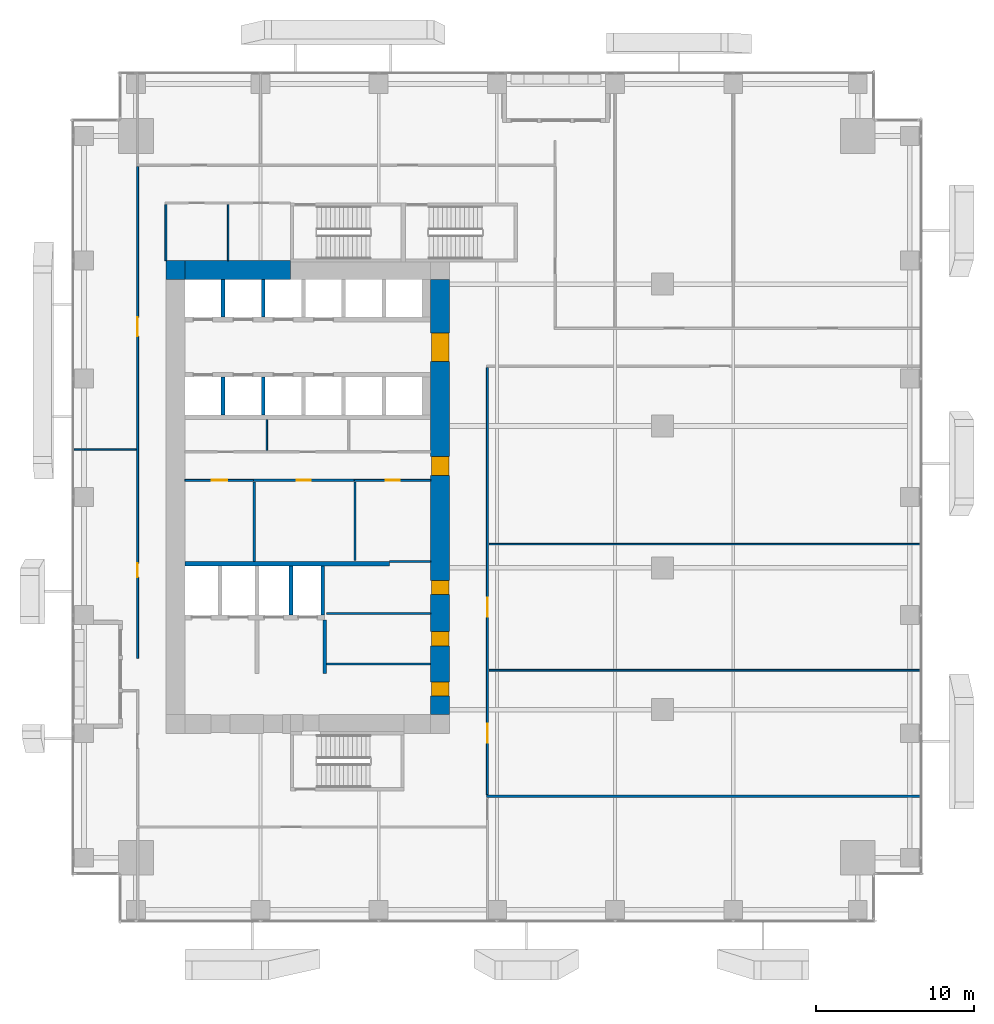
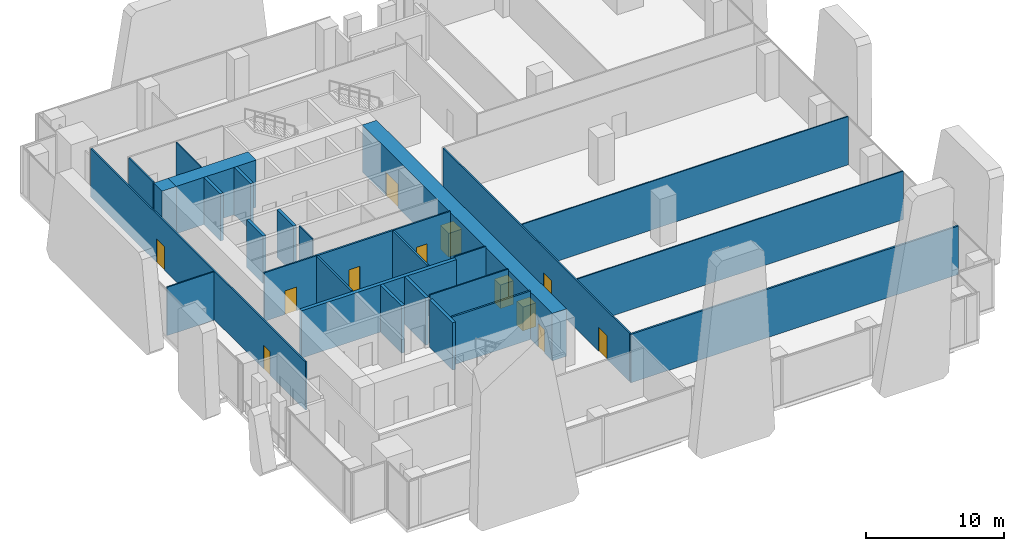
# One storey, part 28 of 34: 28 walls, 12 doors, 12 openings.
"""IFC4 building model written with IfcOpenShell, lengths in metres."""

from ifc_helpers import new_model, si_unit, direction, frame, frame_2d, origin, place, context, subcontext, project, spatial, rectangle, extrude, source, transform, mapped, material, layer, layer_set, type_object, element, fill, save


model = new_model("IFC4")

# Units and contexts
model_context = context("Model", 3, precision=1e-05, world=origin(), true_north=direction((0.0, 1.0)))
body_context = subcontext(model_context, "Body", "Model", "MODEL_VIEW")
ifc_project = project(units=[si_unit("LENGTHUNIT", "METRE"), si_unit("AREAUNIT", "SQUARE_METRE"), si_unit("VOLUMEUNIT", "CUBIC_METRE"), si_unit("PLANEANGLEUNIT", "RADIAN"), si_unit("MASSUNIT", "GRAM", prefix="KILO")], contexts=[model_context])

# Site, building, storey
site_placement = place(None, origin())
site = spatial("IfcSite", under=ifc_project, at=site_placement, CompositionType="ELEMENT")
building_placement = place(site_placement, origin())
building = spatial("IfcBuilding", under=site, at=building_placement, Name="Khomas Fold Tower", CompositionType="ELEMENT")
storey_placement = place(building_placement, frame((0.0, 0.0, 51.0)))
storey = spatial("IfcBuildingStorey", under=building, at=storey_placement, Name="L10", CompositionType="ELEMENT", Elevation=51.0)

# Walls
ifc_material_1 = material(Name="Concrete C70/85", Category="concrete")
ifc_layer_1 = layer(ifc_material_1, 1.199951171875)
ifc_layer_set_1 = layer_set([ifc_layer_1], Name="Concrete C70/85")
wall_type_1 = type_object("IfcWallType", Name="Core wall 1200", PredefinedType="SHEAR", material=ifc_layer_set_1)
shared_shape_1 = source(origin(), body_context, "Body", "SweptSolid", [
    extrude(rectangle(XDim=6.699951171875, YDim=1.199951171875, at=frame_2d((3.35009765625, 0.0))), origin(), (0.0, 0.0, 1.0), 4.199951171875),
])
wall_1_placement = place(storey_placement, frame((7.199951171875, 41.39990234375, 0.0), z_axis=(0.0, 0.0, 1.0), x_axis=(1.0, 0.0, 0.0)))
element("IfcWall", 1, at=wall_1_placement, inside=storey, type_object=wall_type_1, Name="Core wall CW-L-N-B2", PredefinedType="SHEAR", context=body_context, shape_type="MappedRepresentation", body=[
    mapped(shared_shape_1, transform((0.0, 0.0, 0.0))),
])
ifc_material_2 = material(Name="Concrete C70/85", Category="concrete")
ifc_layer_2 = layer(ifc_material_2, 1.199951171875)
ifc_layer_set_2 = layer_set([ifc_layer_2], Name="Concrete C70/85")
wall_type_2 = type_object("IfcWallType", Name="Core corner wall 1200", PredefinedType="SHEAR", material=ifc_layer_set_2)
shared_shape_2 = source(origin(), body_context, "Body", "SweptSolid", [
    extrude(rectangle(XDim=1.199951171875, YDim=1.199951171875, at=frame_2d((0.60009765625, 0.0))), origin(), (0.0, 0.0, 1.0), 4.199951171875),
])
wall_2_placement = place(storey_placement, frame((6.0, 41.39990234375, 0.0), z_axis=(0.0, 0.0, 1.0), x_axis=(1.0, 0.0, 0.0)))
element("IfcWall", 2, at=wall_2_placement, inside=storey, type_object=wall_type_2, Name="Core wall CW-L-NW-B2", PredefinedType="SHEAR", context=body_context, shape_type="MappedRepresentation", body=[
    mapped(shared_shape_2, transform((0.0, 0.0, 0.0))),
])

# Wall, openings, doors
shared_shape_3 = source(origin(), body_context, "Body", "SweptSolid", [
    extrude(rectangle(XDim=27.60009765625, YDim=1.199951171875, at=frame_2d((13.800048828125, 0.0))), origin(), (0.0, 0.0, 1.0), 4.199951171875),
])
wall_3_placement = place(storey_placement, frame((23.39990234375, 13.199951171875, 0.0), z_axis=(0.0, 0.0, 1.0), x_axis=(0.0, 1.0, 0.0)))
wall_3 = element("IfcWall", 3, at=wall_3_placement, inside=storey, type_object=wall_type_1, Name="Core wall CW-L-E-B2", PredefinedType="SHEAR", context=body_context, shape_type="MappedRepresentation", body=[
    mapped(shared_shape_3, transform((0.0, 0.0, 0.0))),
])
shared_shape_4 = source(origin(), body_context, "Body", "SweptSolid", [
    extrude(rectangle(XDim=1.800048828125, YDim=2.10009765625, at=frame_2d((0.89990234375, 1.050048828125))), frame((0.0, 0.60986328125, 0.0), z_axis=(0.0, -1.0, 0.0), x_axis=(1.0, 0.0, 0.0)), (0.0, 0.0, 1.0), 1.219970703125),
])
opening_1_placement = place(wall_3_placement, frame((22.39990234375, 0.0, 0.0)))
opening_1 = element("IfcOpeningElement", 4, at=opening_1_placement, cuts=wall_3, Name="Opening 0015", PredefinedType="OPENING", context=body_context, shape_type="MappedRepresentation", body=[
    mapped(shared_shape_4, transform((0.0, 0.0, 0.0))),
])
shared_shape_5 = source(origin(), body_context, "Body", "SweptSolid", [
    extrude(rectangle(XDim=1.199951171875, YDim=2.10009765625, at=frame_2d((0.60009765625, 1.050048828125))), frame((0.0, 0.60986328125, 0.0), z_axis=(0.0, -1.0, 0.0), x_axis=(1.0, 0.0, 0.0)), (0.0, 0.0, 1.0), 1.219970703125),
])
opening_2_placement = place(wall_3_placement, frame((15.14990234375, 0.0, 0.0)))
opening_2 = element("IfcOpeningElement", 5, at=opening_2_placement, cuts=wall_3, Name="Opening 0001", PredefinedType="OPENING", context=body_context, shape_type="MappedRepresentation", body=[
    mapped(shared_shape_5, transform((0.0, 0.0, 0.0))),
])
shared_shape_6 = source(origin(), body_context, "Body", "SweptSolid", [
    extrude(rectangle(XDim=0.89990234375, YDim=2.10009765625, at=frame_2d((0.449951171875, 1.050048828125))), frame((0.0, 0.60986328125, 0.0), z_axis=(0.0, -1.0, 0.0), x_axis=(1.0, 0.0, 0.0)), (0.0, 0.0, 1.0), 1.219970703125),
])
opening_3_placement = place(wall_3_placement, frame((1.14990234375, 0.0, 0.0)))
opening_3 = element("IfcOpeningElement", 6, at=opening_3_placement, cuts=wall_3, Name="Opening 0003", PredefinedType="OPENING", context=body_context, shape_type="MappedRepresentation", body=[
    mapped(shared_shape_6, transform((0.0, 0.0, 0.0))),
])
opening_4_placement = place(wall_3_placement, frame((4.35009765625, 0.0, 0.0)))
opening_4 = element("IfcOpeningElement", 7, at=opening_4_placement, cuts=wall_3, Name="Opening 0008", PredefinedType="OPENING", context=body_context, shape_type="MappedRepresentation", body=[
    mapped(shared_shape_6, transform((0.0, 0.0, 0.0))),
])
opening_5_placement = place(wall_3_placement, frame((7.60009765625, 0.0, 0.0)))
opening_5 = element("IfcOpeningElement", 8, at=opening_5_placement, cuts=wall_3, Name="Opening 0008", PredefinedType="OPENING", context=body_context, shape_type="MappedRepresentation", body=[
    mapped(shared_shape_6, transform((0.0, 0.0, 0.0))),
])
ifc_material_3 = material(Name="Timber door leaf", Category="wood")
door_type_1 = type_object("IfcDoorType", Name="Door 1200x2100 right-hand", OperationType="SINGLE_SWING_RIGHT", PredefinedType="DOOR", material=ifc_material_3)
shared_shape_7 = source(origin(), body_context, "Body", "SweptSolid", [
    extrude(rectangle(XDim=1.199951171875, YDim=2.10009765625, at=frame_2d((0.60009765625, 1.050048828125))), frame((0.0, 0.5498046875, 0.0), z_axis=(0.0, -1.0, 0.0), x_axis=(1.0, 0.0, 0.0)), (0.0, 0.0, 1.0), 1.099853515625),
])
door_1_placement = place(opening_2_placement, origin())
door_1 = element("IfcDoor", 9, at=door_1_placement, inside=storey, type_object=door_type_1, Name="Door", OperationType="SINGLE_SWING_RIGHT", OverallHeight=2.10009765625, OverallWidth=1.199951171875, PredefinedType="DOOR", context=body_context, shape_type="MappedRepresentation", body=[
    mapped(shared_shape_7, transform((0.0, 0.0, 0.0))),
])
fill(opening_2, door_1)
ifc_material_4 = material(Name="Steel door leaf", Category="steel")
door_type_2 = type_object("IfcDoorType", Name="Plant room door 900x2100 right-hand", OperationType="SINGLE_SWING_RIGHT", PredefinedType="DOOR", material=ifc_material_4)
shared_shape_8 = source(origin(), body_context, "Body", "SweptSolid", [
    extrude(rectangle(XDim=0.89990234375, YDim=2.10009765625, at=frame_2d((0.449951171875, 1.050048828125))), frame((0.0, 0.5498046875, 0.0), z_axis=(0.0, -1.0, 0.0), x_axis=(1.0, 0.0, 0.0)), (0.0, 0.0, 1.0), 1.099853515625),
])
door_2_placement = place(opening_3_placement, origin())
door_2 = element("IfcDoor", 10, at=door_2_placement, inside=storey, type_object=door_type_2, Name="Plant room door", OperationType="SINGLE_SWING_RIGHT", OverallHeight=2.10009765625, OverallWidth=0.89990234375, PredefinedType="DOOR", context=body_context, shape_type="MappedRepresentation", body=[
    mapped(shared_shape_8, transform((0.0, 0.0, 0.0))),
])
fill(opening_3, door_2)
ifc_material_5 = material(Name="Timber door leaf", Category="wood")
door_type_3 = type_object("IfcDoorType", Name="Door 900x2100 right-hand", OperationType="SINGLE_SWING_RIGHT", PredefinedType="DOOR", material=ifc_material_5)
door_3_placement = place(opening_4_placement, origin())
door_3 = element("IfcDoor", 11, at=door_3_placement, inside=storey, type_object=door_type_3, Name="Door", OperationType="SINGLE_SWING_RIGHT", OverallHeight=2.10009765625, OverallWidth=0.89990234375, PredefinedType="DOOR", context=body_context, shape_type="MappedRepresentation", body=[
    mapped(shared_shape_8, transform((0.0, 0.0, 0.0))),
])
fill(opening_4, door_3)
door_4_placement = place(opening_5_placement, origin())
door_4 = element("IfcDoor", 12, at=door_4_placement, inside=storey, type_object=door_type_3, Name="Door", OperationType="SINGLE_SWING_RIGHT", OverallHeight=2.10009765625, OverallWidth=0.89990234375, PredefinedType="DOOR", context=body_context, shape_type="MappedRepresentation", body=[
    mapped(shared_shape_8, transform((0.0, 0.0, 0.0))),
])
fill(opening_5, door_4)
ifc_material_6 = material(Name="Steel door leaf", Category="steel")
door_type_4 = type_object("IfcDoorType", Name="Lobby door 1800x2100", OperationType="DOUBLE_DOOR_SINGLE_SWING", PredefinedType="DOOR", material=ifc_material_6)
shared_shape_9 = source(origin(), body_context, "Body", "SweptSolid", [
    extrude(rectangle(XDim=1.800048828125, YDim=2.10009765625, at=frame_2d((0.89990234375, 1.050048828125))), frame((0.0, 0.5498046875, 0.0), z_axis=(0.0, -1.0, 0.0), x_axis=(1.0, 0.0, 0.0)), (0.0, 0.0, 1.0), 1.099853515625),
])
door_5_placement = place(opening_1_placement, origin())
door_5 = element("IfcDoor", 13, at=door_5_placement, inside=storey, type_object=door_type_4, Name="Lobby door", OperationType="DOUBLE_DOOR_SINGLE_SWING", OverallHeight=2.10009765625, OverallWidth=1.800048828125, PredefinedType="DOOR", context=body_context, shape_type="MappedRepresentation", body=[
    mapped(shared_shape_9, transform((0.0, 0.0, 0.0))),
])
fill(opening_1, door_5)

# Walls
ifc_material_7 = material(Name="Concrete C50/60", Category="concrete")
ifc_layer_3 = layer(ifc_material_7, 0.300048828125)
ifc_layer_set_3 = layer_set([ifc_layer_3], Name="Concrete C50/60")
wall_type_3 = type_object("IfcWallType", Name="Shaft wall 300", PredefinedType="STANDARD", material=ifc_layer_set_3)
shared_shape_10 = source(origin(), body_context, "Body", "SweptSolid", [
    extrude(rectangle(XDim=13.0, YDim=0.300048828125, at=frame_2d((6.5, 0.0))), origin(), (0.0, 0.0, 1.0), 4.199951171875),
])
wall_4_placement = place(storey_placement, frame((7.199951171875, 22.75, 0.0), z_axis=(0.0, 0.0, 1.0), x_axis=(1.0, 0.0, 0.0)))
element("IfcWall", 14, at=wall_4_placement, inside=storey, type_object=wall_type_3, Name="Core wall SW-FS-B", PredefinedType="STANDARD", context=body_context, shape_type="MappedRepresentation", body=[
    mapped(shared_shape_10, transform((0.0, 0.0, 0.0))),
])
ifc_material_8 = material(Name="Concrete C50/60", Category="concrete")
ifc_layer_4 = layer(ifc_material_8, 0.25)
ifc_layer_set_4 = layer_set([ifc_layer_4], Name="Concrete C50/60")
wall_type_4 = type_object("IfcWallType", Name="Shaft wall 250", PredefinedType="STANDARD", material=ifc_layer_set_4)
shared_shape_11 = source(origin(), body_context, "Body", "SweptSolid", [
    extrude(rectangle(XDim=3.10009765625, YDim=0.25, at=frame_2d((1.550048828125, 0.0))), origin(), (0.0, 0.0, 1.0), 4.199951171875),
])
for number, where, z_axis, x_axis, name in (
    (15, (13.925048828125, 19.5, 0.0), (0.0, 0.0, 1.0), (0.0, 1.0, 0.0), "Core wall SW-FS-P3"),
    (16, (15.949951171875, 19.5, 0.0), (0.0, 0.0, 1.0), (0.0, 1.0, 0.0), "Core wall SW-FS-PE"),
):
    element("IfcWall", number, at=place(storey_placement, frame(where, z_axis=z_axis, x_axis=x_axis)), inside=storey, type_object=wall_type_4, Name=name, PredefinedType="STANDARD", context=body_context, shape_type="MappedRepresentation", body=[
        mapped(shared_shape_11, transform((0.0, 0.0, 0.0))),
    ])
shared_shape_12 = source(origin(), body_context, "Body", "SweptSolid", [
    extrude(rectangle(XDim=2.400146484375, YDim=0.25, at=frame_2d((1.2001953125, 0.0))), origin(), (0.0, 0.0, 1.0), 4.199951171875),
])
for number, where, z_axis, x_axis, name in (
    (17, (9.625, 38.39990234375, 0.0), (0.0, 0.0, 1.0), (0.0, 1.0, 0.0), "Core wall SW-LRN-P1"),
    (18, (12.175048828125, 38.39990234375, 0.0), (0.0, 0.0, 1.0), (0.0, 1.0, 0.0), "Core wall SW-LRN-P2"),
    (19, (9.625, 32.199951171875, 0.0), (0.0, 0.0, 1.0), (0.0, 1.0, 0.0), "Core wall SW-LRS-P1"),
    (20, (12.175048828125, 32.199951171875, 0.0), (0.0, 0.0, 1.0), (0.0, 1.0, 0.0), "Core wall SW-LRS-P2"),
):
    element("IfcWall", number, at=place(storey_placement, frame(where, z_axis=z_axis, x_axis=x_axis)), inside=storey, type_object=wall_type_4, Name=name, PredefinedType="STANDARD", context=body_context, shape_type="MappedRepresentation", body=[
        mapped(shared_shape_12, transform((0.0, 0.0, 0.0))),
    ])
ifc_material_9 = material(Name="Concrete C50/60", Category="concrete")
ifc_layer_5 = layer(ifc_material_9, 0.25)
ifc_layer_set_5 = layer_set([ifc_layer_5], Name="Concrete C50/60")
wall_type_5 = type_object("IfcWallType", Name="Lobby wall 250", PredefinedType="STANDARD", material=ifc_layer_set_5)
shared_shape_13 = source(origin(), body_context, "Body", "SweptSolid", [
    extrude(rectangle(XDim=3.39990234375, YDim=0.25, at=frame_2d((1.699951171875, 0.0))), origin(), (0.0, 0.0, 1.0), 4.199951171875),
])
wall_5_placement = place(storey_placement, frame((16.074951171875, 15.800048828125, 0.0), z_axis=(0.0, 0.0, 1.0), x_axis=(0.0, 1.0, 0.0)))
element("IfcWall", 21, at=wall_5_placement, inside=storey, type_object=wall_type_5, Name="Core wall SW-FS-LOB-E", PredefinedType="STANDARD", context=body_context, shape_type="MappedRepresentation", body=[
    mapped(shared_shape_13, transform((0.0, 0.0, 0.0))),
])
ifc_material_10 = material(Name="Plasterboard fire partition")
ifc_layer_6 = layer(ifc_material_10, 0.14990234375)
ifc_layer_set_6 = layer_set([ifc_layer_6], Name="Plasterboard fire partition")
wall_type_6 = type_object("IfcWallType", Name="Plant room wall PW3 150", PredefinedType="PARTITIONING", material=ifc_layer_set_6)
shared_shape_14 = source(origin(), body_context, "Body", "SweptSolid", [
    extrude(rectangle(XDim=27.5, YDim=0.14990234375, at=frame_2d((13.75, 0.0))), origin(), (0.0, 0.0, 1.0), 4.300048828125),
])
wall_6_placement = place(storey_placement, frame((26.35009765625, 8.0, 0.0), z_axis=(0.0, 0.0, 1.0), x_axis=(1.0, 0.0, 0.0)))
element("IfcWall", 22, at=wall_6_placement, inside=storey, type_object=wall_type_6, Name="Plant room wall", PredefinedType="PARTITIONING", context=body_context, shape_type="MappedRepresentation", body=[
    mapped(shared_shape_14, transform((0.0, 0.0, 0.0))),
])

# Wall, openings, doors
ifc_material_11 = material(Name="Plasterboard partition")
ifc_layer_7 = layer(ifc_material_11, 0.125)
ifc_layer_set_7 = layer_set([ifc_layer_7], Name="Plasterboard partition")
wall_type_7 = type_object("IfcWallType", Name="Partition PW2 125", PredefinedType="PARTITIONING", material=ifc_layer_set_7)
shared_shape_15 = source(origin(), body_context, "Body", "SweptSolid", [
    extrude(rectangle(XDim=27.099853515625, YDim=0.125, at=frame_2d((13.5498046875, 0.0))), origin(), (0.0, 0.0, 1.0), 4.300048828125),
])
wall_7_placement = place(storey_placement, frame((26.39990234375, 8.10009765625, 0.0), z_axis=(0.0, 0.0, 1.0), x_axis=(0.0, 1.0, 0.0)))
wall_7 = element("IfcWall", 23, at=wall_7_placement, inside=storey, type_object=wall_type_7, Name="Partition", PredefinedType="PARTITIONING", context=body_context, shape_type="MappedRepresentation", body=[
    mapped(shared_shape_15, transform((0.0, 0.0, 0.0))),
])
shared_shape_16 = source(origin(), body_context, "Body", "SweptSolid", [
    extrude(rectangle(XDim=1.199951171875, YDim=2.10009765625, at=frame_2d((0.60009765625, 1.050048828125))), frame((0.0, 0.072509765625, 0.0), z_axis=(0.0, -1.0, 0.0), x_axis=(1.0, 0.0, 0.0)), (0.0, 0.0, 1.0), 0.14501953125),
])
opening_6_placement = place(wall_7_placement, frame((3.300048828125, 0.0, 0.0)))
opening_6 = element("IfcOpeningElement", 24, at=opening_6_placement, cuts=wall_7, Name="Opening 0013", PredefinedType="OPENING", context=body_context, shape_type="MappedRepresentation", body=[
    mapped(shared_shape_16, transform((0.0, 0.0, 0.0))),
])
opening_7_placement = place(wall_7_placement, frame((11.300048828125, 0.0, 0.0)))
opening_7 = element("IfcOpeningElement", 25, at=opening_7_placement, cuts=wall_7, Name="Opening 0001", PredefinedType="OPENING", context=body_context, shape_type="MappedRepresentation", body=[
    mapped(shared_shape_16, transform((0.0, 0.0, 0.0))),
])
ifc_material_12 = material(Name="Timber door leaf", Category="wood")
door_type_5 = type_object("IfcDoorType", Name="Door 1200x2100 left-hand", OperationType="SINGLE_SWING_LEFT", PredefinedType="DOOR", material=ifc_material_12)
shared_shape_17 = source(origin(), body_context, "Body", "SweptSolid", [
    extrude(rectangle(XDim=1.199951171875, YDim=2.10009765625, at=frame_2d((0.60009765625, 1.050048828125))), frame((0.0, 0.02490234375, 0.0), z_axis=(0.0, -1.0, 0.0), x_axis=(1.0, 0.0, 0.0)), (0.0, 0.0, 1.0), 0.050048828125),
])
door_6_placement = place(opening_6_placement, origin())
door_6 = element("IfcDoor", 26, at=door_6_placement, inside=storey, type_object=door_type_5, Name="Door", OperationType="SINGLE_SWING_LEFT", OverallHeight=2.10009765625, OverallWidth=1.199951171875, PredefinedType="DOOR", context=body_context, shape_type="MappedRepresentation", body=[
    mapped(shared_shape_17, transform((0.0, 0.0, 0.0))),
])
fill(opening_6, door_6)
door_7_placement = place(opening_7_placement, origin())
door_7 = element("IfcDoor", 27, at=door_7_placement, inside=storey, type_object=door_type_1, Name="Door", OperationType="SINGLE_SWING_RIGHT", OverallHeight=2.10009765625, OverallWidth=1.199951171875, PredefinedType="DOOR", context=body_context, shape_type="MappedRepresentation", body=[
    mapped(shared_shape_17, transform((0.0, 0.0, 0.0))),
])
fill(opening_7, door_7)

# Walls
ifc_material_13 = material(Name="Plasterboard partition")
ifc_layer_8 = layer(ifc_material_13, 0.10009765625)
ifc_layer_set_8 = layer_set([ifc_layer_8], Name="Plasterboard partition")
wall_type_8 = type_object("IfcWallType", Name="Partition PW1 100", PredefinedType="PARTITIONING", material=ifc_layer_set_8)
shared_shape_18 = source(origin(), body_context, "Body", "SweptSolid", [
    extrude(rectangle(XDim=3.9501953125, YDim=0.10009765625, at=frame_2d((1.97509765625, 0.0))), origin(), (0.0, 0.0, 1.0), 4.300048828125),
])
wall_8_placement = place(storey_placement, frame((0.14990234375, 30.0, 0.0), z_axis=(0.0, 0.0, 1.0), x_axis=(1.0, 0.0, 0.0)))
element("IfcWall", 28, at=wall_8_placement, inside=storey, type_object=wall_type_8, Name="Partition", PredefinedType="PARTITIONING", context=body_context, shape_type="MappedRepresentation", body=[
    mapped(shared_shape_18, transform((0.0, 0.0, 0.0))),
])
shared_shape_19 = source(origin(), body_context, "Body", "SweptSolid", [
    extrude(rectangle(XDim=27.35009765625, YDim=0.10009765625, at=frame_2d((13.675048828125, 0.0))), origin(), (0.0, 0.0, 1.0), 4.300048828125),
])
for number, where, z_axis, x_axis, name in (
    (29, (26.5, 16.0, 0.0), (0.0, 0.0, 1.0), (1.0, 0.0, 0.0), "Partition"),
    (30, (26.5, 24.0, 0.0), (0.0, 0.0, 1.0), (1.0, 0.0, 0.0), "Partition"),
):
    element("IfcWall", number, at=place(storey_placement, frame(where, z_axis=z_axis, x_axis=x_axis)), inside=storey, type_object=wall_type_8, Name=name, PredefinedType="PARTITIONING", context=body_context, shape_type="MappedRepresentation", body=[
        mapped(shared_shape_19, transform((0.0, 0.0, 0.0))),
    ])
shared_shape_20 = source(origin(), body_context, "Body", "SweptSolid", [
    extrude(rectangle(XDim=6.60009765625, YDim=0.14990234375, at=frame_2d((3.300048828125, 0.0))), origin(), (0.0, 0.0, 1.0), 4.300048828125),
])
wall_9_placement = place(storey_placement, frame((16.199951171875, 16.39990234375, 0.0), z_axis=(0.0, 0.0, 1.0), x_axis=(1.0, 0.0, 0.0)))
element("IfcWall", 31, at=wall_9_placement, inside=storey, type_object=wall_type_6, Name="Plant room wall", PredefinedType="PARTITIONING", context=body_context, shape_type="MappedRepresentation", body=[
    mapped(shared_shape_20, transform((0.0, 0.0, 0.0))),
])
shared_shape_21 = source(origin(), body_context, "Body", "SweptSolid", [
    extrude(rectangle(XDim=3.550048828125, YDim=0.10009765625, at=frame_2d((1.77490234375, 0.0))), origin(), (0.0, 0.0, 1.0), 4.300048828125),
])
wall_10_placement = place(storey_placement, frame((9.949951171875, 42.0, 0.0), z_axis=(0.0, 0.0, 1.0), x_axis=(0.0, 1.0, 0.0)))
element("IfcWall", 32, at=wall_10_placement, inside=storey, type_object=wall_type_8, Name="Partition", PredefinedType="PARTITIONING", context=body_context, shape_type="MappedRepresentation", body=[
    mapped(shared_shape_21, transform((0.0, 0.0, 0.0))),
])
shared_shape_22 = source(origin(), body_context, "Body", "SweptSolid", [
    extrude(rectangle(XDim=3.550048828125, YDim=0.125, at=frame_2d((1.77490234375, 0.0))), origin(), (0.0, 0.0, 1.0), 4.300048828125),
])
wall_11_placement = place(storey_placement, frame((6.0, 42.0, 0.0), z_axis=(0.0, 0.0, 1.0), x_axis=(0.0, 1.0, 0.0)))
element("IfcWall", 33, at=wall_11_placement, inside=storey, type_object=wall_type_7, Name="Partition", PredefinedType="PARTITIONING", context=body_context, shape_type="MappedRepresentation", body=[
    mapped(shared_shape_22, transform((0.0, 0.0, 0.0))),
])
shared_shape_23 = source(origin(), body_context, "Body", "SweptSolid", [
    extrude(rectangle(XDim=6.60009765625, YDim=0.10009765625, at=frame_2d((3.300048828125, 0.0))), origin(), (0.0, 0.0, 1.0), 4.300048828125),
])
wall_12_placement = place(storey_placement, frame((16.199951171875, 19.60009765625, 0.0), z_axis=(0.0, 0.0, 1.0), x_axis=(1.0, 0.0, 0.0)))
element("IfcWall", 34, at=wall_12_placement, inside=storey, type_object=wall_type_8, Name="Partition", PredefinedType="PARTITIONING", context=body_context, shape_type="MappedRepresentation", body=[
    mapped(shared_shape_23, transform((0.0, 0.0, 0.0))),
])
shared_shape_24 = source(origin(), body_context, "Body", "SweptSolid", [
    extrude(rectangle(XDim=5.050048828125, YDim=0.14990234375, at=frame_2d((2.52490234375, 0.0))), origin(), (0.0, 0.0, 1.0), 4.300048828125),
])
wall_13_placement = place(storey_placement, frame((11.60009765625, 22.89990234375, 0.0), z_axis=(0.0, 0.0, 1.0), x_axis=(0.0, 1.0, 0.0)))
element("IfcWall", 35, at=wall_13_placement, inside=storey, type_object=wall_type_6, Name="Plant room wall", PredefinedType="PARTITIONING", context=body_context, shape_type="MappedRepresentation", body=[
    mapped(shared_shape_24, transform((0.0, 0.0, 0.0))),
])
shared_shape_25 = source(origin(), body_context, "Body", "SweptSolid", [
    extrude(rectangle(XDim=2.60009765625, YDim=0.10009765625, at=frame_2d((1.300048828125, 0.0))), origin(), (0.0, 0.0, 1.0), 4.300048828125),
])
wall_14_placement = place(storey_placement, frame((20.199951171875, 22.89990234375, 0.0), z_axis=(0.0, 0.0, 1.0), x_axis=(1.0, 0.0, 0.0)))
element("IfcWall", 36, at=wall_14_placement, inside=storey, type_object=wall_type_8, Name="Partition", PredefinedType="PARTITIONING", context=body_context, shape_type="MappedRepresentation", body=[
    mapped(shared_shape_25, transform((0.0, 0.0, 0.0))),
])
shared_shape_26 = source(origin(), body_context, "Body", "SweptSolid", [
    extrude(rectangle(XDim=5.0, YDim=0.14990234375, at=frame_2d((2.5, 0.0))), origin(), (0.0, 0.0, 1.0), 4.300048828125),
])
wall_15_placement = place(storey_placement, frame((18.0, 22.949951171875, 0.0), z_axis=(0.0, 0.0, 1.0), x_axis=(0.0, 1.0, 0.0)))
element("IfcWall", 37, at=wall_15_placement, inside=storey, type_object=wall_type_6, Name="Plant room wall", PredefinedType="PARTITIONING", context=body_context, shape_type="MappedRepresentation", body=[
    mapped(shared_shape_26, transform((0.0, 0.0, 0.0))),
])

# Wall, opening, door
shared_shape_27 = source(origin(), body_context, "Body", "SweptSolid", [
    extrude(rectangle(XDim=4.35009765625, YDim=0.125, at=frame_2d((2.175048828125, 0.0))), origin(), (0.0, 0.0, 1.0), 4.300048828125),
])
wall_16_placement = place(storey_placement, frame((7.199951171875, 28.050048828125, 0.0), z_axis=(0.0, 0.0, 1.0), x_axis=(1.0, 0.0, 0.0)))
wall_16 = element("IfcWall", 38, at=wall_16_placement, inside=storey, type_object=wall_type_7, Name="Partition", PredefinedType="PARTITIONING", context=body_context, shape_type="MappedRepresentation", body=[
    mapped(shared_shape_27, transform((0.0, 0.0, 0.0))),
])
shared_shape_28 = source(origin(), body_context, "Body", "SweptSolid", [
    extrude(rectangle(XDim=1.0, YDim=2.10009765625, at=frame_2d((0.5, 1.050048828125))), frame((0.0, 0.072509765625, 0.0), z_axis=(0.0, -1.0, 0.0), x_axis=(1.0, 0.0, 0.0)), (0.0, 0.0, 1.0), 0.14501953125),
])
opening_8_placement = place(wall_16_placement, frame((1.699951171875, 0.0, 0.0)))
opening_8 = element("IfcOpeningElement", 39, at=opening_8_placement, cuts=wall_16, Name="Opening 0014", PredefinedType="OPENING", context=body_context, shape_type="MappedRepresentation", body=[
    mapped(shared_shape_28, transform((0.0, 0.0, 0.0))),
])
ifc_material_14 = material(Name="Timber door leaf", Category="wood")
door_type_6 = type_object("IfcDoorType", Name="WC door 1000x2100 left-hand", OperationType="SINGLE_SWING_LEFT", PredefinedType="DOOR", material=ifc_material_14)
shared_shape_29 = source(origin(), body_context, "Body", "SweptSolid", [
    extrude(rectangle(XDim=1.0, YDim=2.10009765625, at=frame_2d((0.5, 1.050048828125))), frame((0.0, 0.02490234375, 0.0), z_axis=(0.0, -1.0, 0.0), x_axis=(1.0, 0.0, 0.0)), (0.0, 0.0, 1.0), 0.050048828125),
])
door_8_placement = place(opening_8_placement, origin())
door_8 = element("IfcDoor", 40, at=door_8_placement, inside=storey, type_object=door_type_6, Name="WC door", OperationType="SINGLE_SWING_LEFT", OverallHeight=2.10009765625, OverallWidth=1.0, PredefinedType="DOOR", context=body_context, shape_type="MappedRepresentation", body=[
    mapped(shared_shape_29, transform((0.0, 0.0, 0.0))),
])
fill(opening_8, door_8)

shared_shape_30 = source(origin(), body_context, "Body", "SweptSolid", [
    extrude(rectangle(XDim=6.39990234375, YDim=0.14990234375, at=frame_2d((3.199951171875, 0.0))), origin(), (0.0, 0.0, 1.0), 4.300048828125),
])
wall_17_placement = place(storey_placement, frame((11.550048828125, 28.050048828125, 0.0), z_axis=(0.0, 0.0, 1.0), x_axis=(1.0, 0.0, 0.0)))
wall_17 = element("IfcWall", 41, at=wall_17_placement, inside=storey, type_object=wall_type_6, Name="Plant room wall", PredefinedType="PARTITIONING", context=body_context, shape_type="MappedRepresentation", body=[
    mapped(shared_shape_30, transform((0.0, 0.0, 0.0))),
])
shared_shape_31 = source(origin(), body_context, "Body", "SweptSolid", [
    extrude(rectangle(XDim=0.89990234375, YDim=2.10009765625, at=frame_2d((0.449951171875, 1.050048828125))), frame((0.0, 0.0849609375, 0.0), z_axis=(0.0, -1.0, 0.0), x_axis=(1.0, 0.0, 0.0)), (0.0, 0.0, 1.0), 0.169921875),
])
opening_9_placement = place(wall_17_placement, frame((2.75, 0.0, 0.0)))
opening_9 = element("IfcOpeningElement", 42, at=opening_9_placement, cuts=wall_17, Name="Opening 0003", PredefinedType="OPENING", context=body_context, shape_type="MappedRepresentation", body=[
    mapped(shared_shape_31, transform((0.0, 0.0, 0.0))),
])
shared_shape_32 = source(origin(), body_context, "Body", "SweptSolid", [
    extrude(rectangle(XDim=0.89990234375, YDim=2.10009765625, at=frame_2d((0.449951171875, 1.050048828125))), frame((0.0, 0.02490234375, 0.0), z_axis=(0.0, -1.0, 0.0), x_axis=(1.0, 0.0, 0.0)), (0.0, 0.0, 1.0), 0.050048828125),
])
door_9_placement = place(opening_9_placement, origin())
door_9 = element("IfcDoor", 43, at=door_9_placement, inside=storey, type_object=door_type_2, Name="Plant room door", OperationType="SINGLE_SWING_RIGHT", OverallHeight=2.10009765625, OverallWidth=0.89990234375, PredefinedType="DOOR", context=body_context, shape_type="MappedRepresentation", body=[
    mapped(shared_shape_32, transform((0.0, 0.0, 0.0))),
])
fill(opening_9, door_9)

shared_shape_33 = source(origin(), body_context, "Body", "SweptSolid", [
    extrude(rectangle(XDim=4.85009765625, YDim=0.125, at=frame_2d((2.425048828125, 0.0))), origin(), (0.0, 0.0, 1.0), 4.300048828125),
])
wall_18_placement = place(storey_placement, frame((17.949951171875, 28.050048828125, 0.0), z_axis=(0.0, 0.0, 1.0), x_axis=(1.0, 0.0, 0.0)))
wall_18 = element("IfcWall", 44, at=wall_18_placement, inside=storey, type_object=wall_type_7, Name="Partition", PredefinedType="PARTITIONING", context=body_context, shape_type="MappedRepresentation", body=[
    mapped(shared_shape_33, transform((0.0, 0.0, 0.0))),
])
shared_shape_34 = source(origin(), body_context, "Body", "SweptSolid", [
    extrude(rectangle(XDim=0.89990234375, YDim=2.10009765625, at=frame_2d((0.449951171875, 1.050048828125))), frame((0.0, 0.072509765625, 0.0), z_axis=(0.0, -1.0, 0.0), x_axis=(1.0, 0.0, 0.0)), (0.0, 0.0, 1.0), 0.14501953125),
])
opening_10_placement = place(wall_18_placement, frame((2.0, 0.0, 0.0)))
opening_10 = element("IfcOpeningElement", 45, at=opening_10_placement, cuts=wall_18, Name="Opening 0007", PredefinedType="OPENING", context=body_context, shape_type="MappedRepresentation", body=[
    mapped(shared_shape_34, transform((0.0, 0.0, 0.0))),
])
ifc_material_15 = material(Name="Timber door leaf", Category="wood")
door_type_7 = type_object("IfcDoorType", Name="Door 900x2100 left-hand", OperationType="SINGLE_SWING_LEFT", PredefinedType="DOOR", material=ifc_material_15)
door_10_placement = place(opening_10_placement, origin())
door_10 = element("IfcDoor", 46, at=door_10_placement, inside=storey, type_object=door_type_7, Name="Door", OperationType="SINGLE_SWING_LEFT", OverallHeight=2.10009765625, OverallWidth=0.89990234375, PredefinedType="DOOR", context=body_context, shape_type="MappedRepresentation", body=[
    mapped(shared_shape_32, transform((0.0, 0.0, 0.0))),
])
fill(opening_10, door_10)

# Wall
shared_shape_35 = source(origin(), body_context, "Body", "SweptSolid", [
    extrude(rectangle(XDim=1.949951171875, YDim=0.10009765625, at=frame_2d((0.97509765625, 0.0))), origin(), (0.0, 0.0, 1.0), 4.300048828125),
])
wall_19_placement = place(storey_placement, frame((12.39990234375, 29.949951171875, 0.0), z_axis=(0.0, 0.0, 1.0), x_axis=(0.0, 1.0, 0.0)))
element("IfcWall", 47, at=wall_19_placement, inside=storey, type_object=wall_type_8, Name="Partition", PredefinedType="PARTITIONING", context=body_context, shape_type="MappedRepresentation", body=[
    mapped(shared_shape_35, transform((0.0, 0.0, 0.0))),
])

# Wall, openings, doors
shared_shape_36 = source(origin(), body_context, "Body", "SweptSolid", [
    extrude(rectangle(XDim=31.199951171875, YDim=0.125, at=frame_2d((15.60009765625, 0.0))), origin(), (0.0, 0.0, 1.0), 4.300048828125),
])
wall_20_placement = place(storey_placement, frame((4.199951171875, 16.75, 0.0), z_axis=(0.0, 0.0, 1.0), x_axis=(0.0, 1.0, 0.0)))
wall_20 = element("IfcWall", 48, at=wall_20_placement, inside=storey, type_object=wall_type_7, Name="Partition", PredefinedType="PARTITIONING", context=body_context, shape_type="MappedRepresentation", body=[
    mapped(shared_shape_36, transform((0.0, 0.0, 0.0))),
])
opening_11_placement = place(wall_20_placement, frame((5.14990234375, 0.0, 0.0)))
opening_11 = element("IfcOpeningElement", 49, at=opening_11_placement, cuts=wall_20, Name="Opening 0007", PredefinedType="OPENING", context=body_context, shape_type="MappedRepresentation", body=[
    mapped(shared_shape_34, transform((0.0, 0.0, 0.0))),
])
opening_12_placement = place(wall_20_placement, frame((20.449951171875, 0.0, 0.0)))
opening_12 = element("IfcOpeningElement", 50, at=opening_12_placement, cuts=wall_20, Name="Opening 0001", PredefinedType="OPENING", context=body_context, shape_type="MappedRepresentation", body=[
    mapped(shared_shape_16, transform((0.0, 0.0, 0.0))),
])
door_11_placement = place(opening_11_placement, origin())
door_11 = element("IfcDoor", 51, at=door_11_placement, inside=storey, type_object=door_type_7, Name="Door", OperationType="SINGLE_SWING_LEFT", OverallHeight=2.10009765625, OverallWidth=0.89990234375, PredefinedType="DOOR", context=body_context, shape_type="MappedRepresentation", body=[
    mapped(shared_shape_32, transform((0.0, 0.0, 0.0))),
])
fill(opening_11, door_11)
door_12_placement = place(opening_12_placement, origin())
door_12 = element("IfcDoor", 52, at=door_12_placement, inside=storey, type_object=door_type_1, Name="Door", OperationType="SINGLE_SWING_RIGHT", OverallHeight=2.10009765625, OverallWidth=1.199951171875, PredefinedType="DOOR", context=body_context, shape_type="MappedRepresentation", body=[
    mapped(shared_shape_17, transform((0.0, 0.0, 0.0))),
])
fill(opening_12, door_12)

save(model, "model.ifc")
